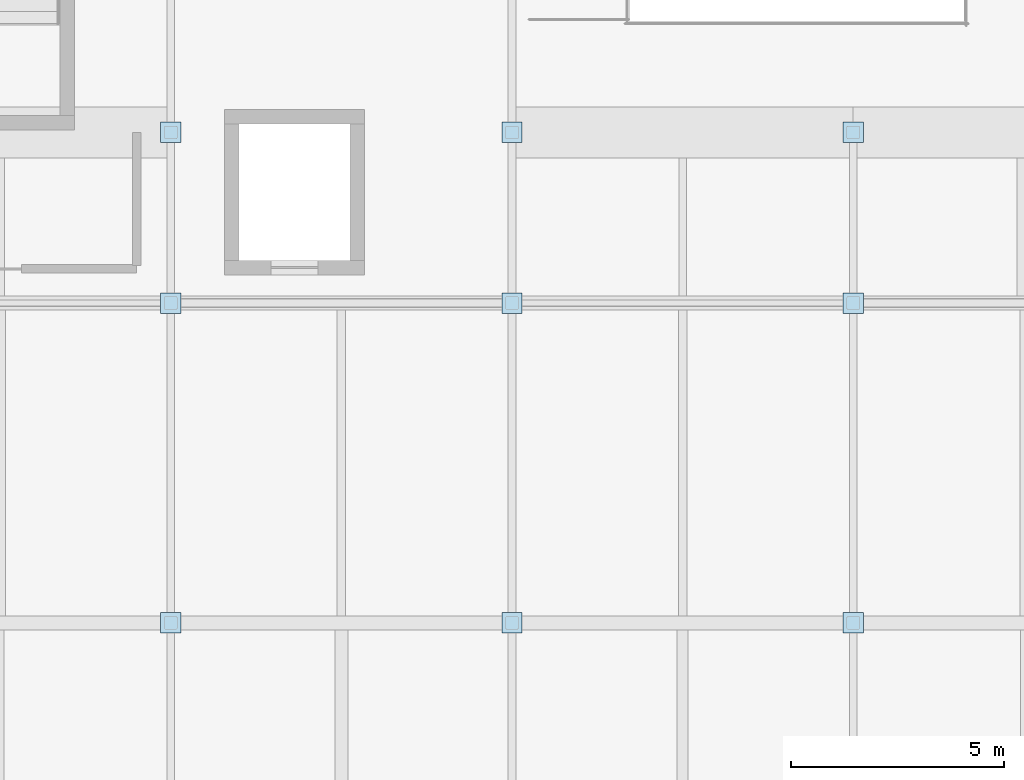
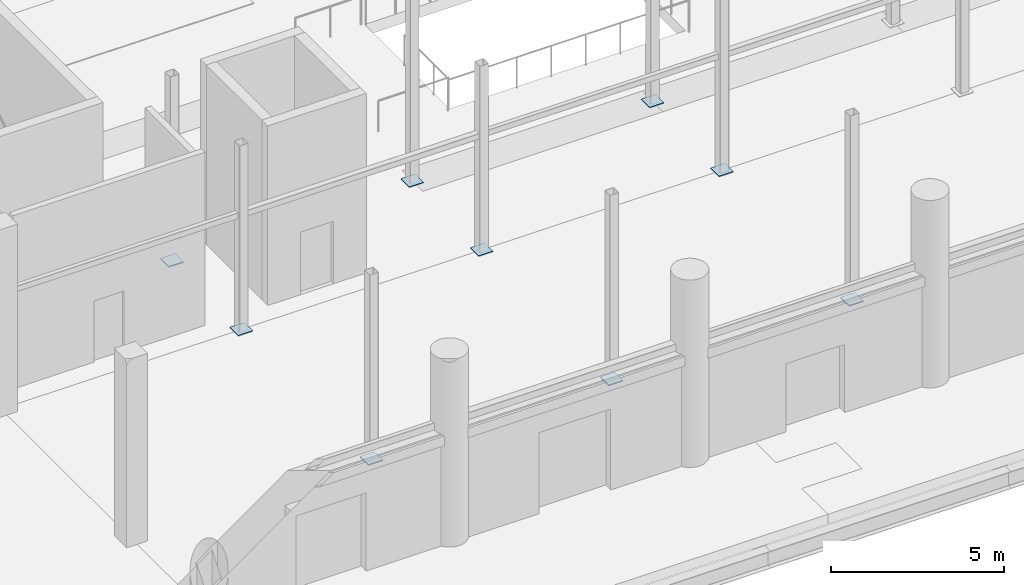
# One storey, part 111 of 140: 9 plates.
"""IFC4 building model written with IfcOpenShell, lengths in metres."""

from ifc_helpers import new_model, si_unit, direction, frame, origin, origin_2d, place, context, subcontext, project, spatial, rectangle, extrude, material, layer, layer_set, type_object, element, save


model = new_model("IFC4")

# Units and contexts
model_context = context("Model", 3, precision=1e-05, world=origin(), true_north=direction((0.0, 1.0)))
body_context = subcontext(model_context, "Body", "Model", "MODEL_VIEW")
ifc_project = project(units=[si_unit("LENGTHUNIT", "METRE"), si_unit("AREAUNIT", "SQUARE_METRE"), si_unit("VOLUMEUNIT", "CUBIC_METRE"), si_unit("PLANEANGLEUNIT", "RADIAN"), si_unit("MASSUNIT", "GRAM", prefix="KILO")], contexts=[model_context])

# Site, building, storey
site_placement = place(None, origin())
site = spatial("IfcSite", under=ifc_project, at=site_placement, CompositionType="ELEMENT")
building_placement = place(site_placement, origin())
building = spatial("IfcBuilding", under=site, at=building_placement, Name="Verrall Gate Interchange", CompositionType="ELEMENT")
storey_placement = place(building_placement, origin())
storey = spatial("IfcBuildingStorey", under=building, at=storey_placement, Name="L01", CompositionType="ELEMENT", Elevation=0.0)

# Plates
ifc_material = material(Name="Structural Steel CSA G40.21 350WT Cat 4", Category="steel")
ifc_layer = layer(ifc_material, 0.0400390625)
ifc_layer_set = layer_set([ifc_layer], Name="Structural Steel CSA G40.21 350WT Cat 4")
plate_type = type_object("IfcPlateType", Name="BP-01 Base Plate 40", PredefinedType="USERDEFINED", material=ifc_layer_set)
for number, where, z_axis, x_axis, name in (
    (1, (44.0, 4.5, -0.02001953125), (0.0, 0.0, 1.0), (1.0, 0.0, 0.0), "L01 Hollow Column Transition Cap Plate 0831"),
    (2, (44.0, 12.0, -0.02001953125), (0.0, 0.0, 1.0), (1.0, 0.0, 0.0), "L01 Hollow Column Transition Cap Plate 0835"),
    (3, (44.0, 16.0, -0.02001953125), (0.0, 0.0, 1.0), (1.0, 0.0, 0.0), "L01 Hollow Column Transition Cap Plate 0839"),
    (4, (52.0, 4.5, -0.02001953125), (0.0, 0.0, 1.0), (1.0, 0.0, 0.0), "L01 Hollow Column Transition Cap Plate 0869"),
    (5, (52.0, 12.0, -0.02001953125), (0.0, 0.0, 1.0), (1.0, 0.0, 0.0), "L01 Hollow Column Transition Cap Plate 0873"),
    (6, (52.0, 16.0, -0.02001953125), (0.0, 0.0, 1.0), (1.0, 0.0, 0.0), "L01 Hollow Column Transition Cap Plate 0877"),
    (7, (60.0, 4.5, -0.02001953125), (0.0, 0.0, 1.0), (1.0, 0.0, 0.0), "L01 Hollow Column Transition Cap Plate 0907"),
    (8, (60.0, 12.0, -0.02001953125), (0.0, 0.0, 1.0), (1.0, 0.0, 0.0), "L01 Hollow Column Transition Cap Plate 0911"),
    (9, (60.0, 16.0, -0.02001953125), (0.0, 0.0, 1.0), (1.0, 0.0, 0.0), "L01 Hollow Column Transition Cap Plate 0915"),
):
    element("IfcPlate", number, at=place(storey_placement, frame(where, z_axis=z_axis, x_axis=x_axis)), inside=storey, type_object=plate_type, Name=name, ObjectType="BASE_PLATE", PredefinedType="USERDEFINED", context=body_context, shape_type="SweptSolid", body=[
        extrude(rectangle(XDim=0.47998046875, YDim=0.47998046875, at=origin_2d()), origin(), (0.0, 0.0, 1.0), 0.0400390625),
    ])

save(model, "model.ifc")
